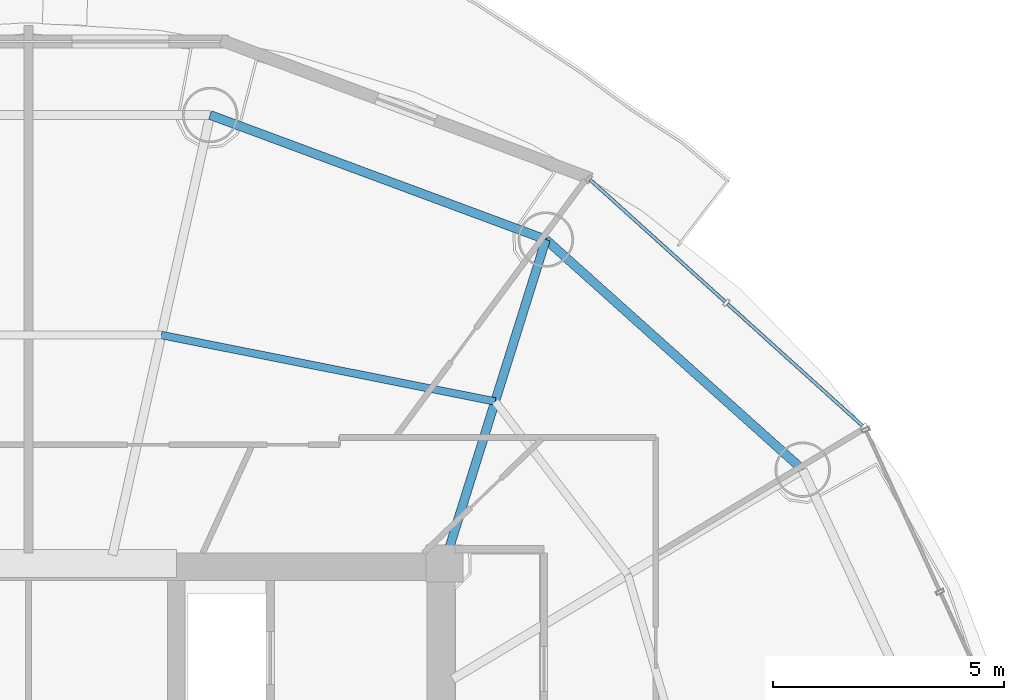
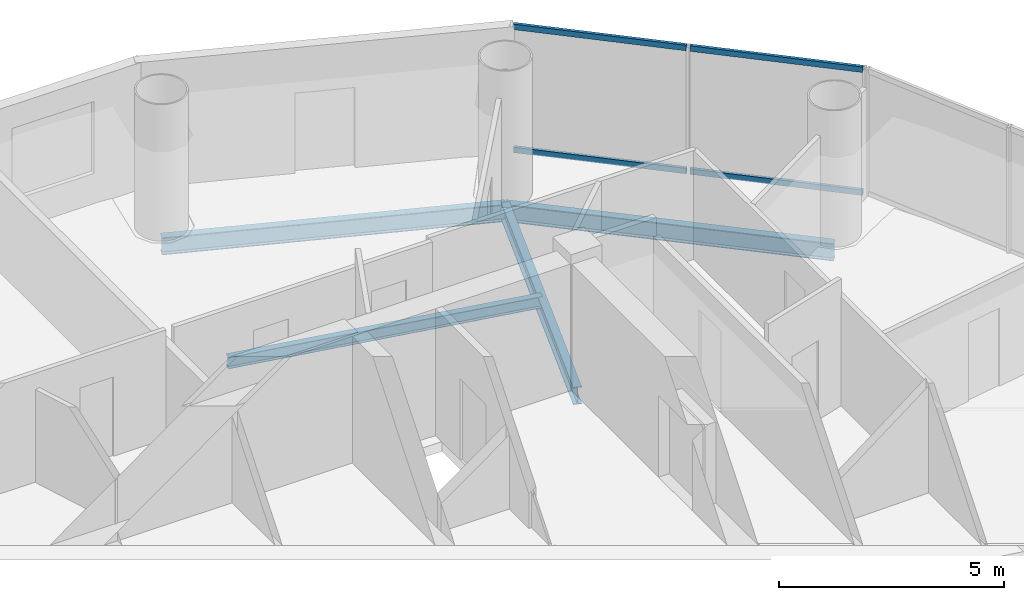
# One storey, part 17 of 26: 4 beams, 4 members, 1 element without a shape of its own.
"""IFC4 building model written with IfcOpenShell, lengths in metres."""

from ifc_helpers import new_model, si_unit, direction, frame, origin, origin_2d, place, context, subcontext, project, spatial, hollow_rectangle, i_section, extrude, source, transform, mapped, material, material_profile, profile_set, type_object, element, aggregate, save


model = new_model("IFC4")

# Units and contexts
model_context = context("Model", 3, precision=1e-05, world=origin(), true_north=direction((-0.2419218956, 0.970295726276)))
body_context = subcontext(model_context, "Body", "Model", "MODEL_VIEW")
ifc_project = project(units=[si_unit("LENGTHUNIT", "METRE"), si_unit("AREAUNIT", "SQUARE_METRE"), si_unit("VOLUMEUNIT", "CUBIC_METRE"), si_unit("PLANEANGLEUNIT", "RADIAN"), si_unit("MASSUNIT", "GRAM", prefix="KILO")], contexts=[model_context])

# Site, building, storey
site_placement = place(None, origin())
site = spatial("IfcSite", under=ifc_project, at=site_placement, CompositionType="ELEMENT")
building_placement = place(site_placement, origin())
building = spatial("IfcBuilding", under=site, at=building_placement, Name="Cobrevalo Terracotta Tower", CompositionType="ELEMENT")
storey_placement = place(building_placement, frame((0.0, 0.0, 206.0)))
storey = spatial("IfcBuildingStorey", under=building, at=storey_placement, Name="L54", CompositionType="ELEMENT", Elevation=206.0)

# Beams
ifc_material_1 = material(Name="Steel S355", Category="steel")
ifc_material_profile_1 = material_profile(ifc_material_1, i_section(OverallWidth=0.194091796875, OverallDepth=0.468994140625, WebThickness=0.011474609375, FlangeThickness=0.0205078125, at=origin_2d()), Name="W 460x106")
ifc_profile_set_1 = profile_set([ifc_material_profile_1], Name="Steel S355")
beam_type_1 = type_object("IfcBeamType", Name="Structural Beam W 460x106 (Steel S355)", PredefinedType="BEAM", material=ifc_profile_set_1)
beam_1_placement = place(storey_placement, frame((49.19482421875, 41.80810546875, -0.49951171875), z_axis=(-0.298871212691, -0.954293454984, 0.0), x_axis=(0.954293454984, -0.298871212691, 0.0)))
element("IfcBeam", 1, at=beam_1_placement, inside=storey, type_object=beam_type_1, Name="L54 radial floor girder 03", PredefinedType="BEAM", context=body_context, shape_type="SweptSolid", body=[
    extrude(i_section(OverallWidth=0.194091796875, OverallDepth=0.468994140625, WebThickness=0.011474609375, FlangeThickness=0.0205078125, at=origin_2d()), origin(), (0.0, 0.0, 1.0), 7.34375),
])
ifc_material_profile_2 = material_profile(ifc_material_1, i_section(OverallWidth=0.1650390625, OverallDepth=0.31005859375, WebThickness=0.005859375, FlangeThickness=0.009765625, at=origin_2d()), Name="W 310x38.7")
ifc_profile_set_2 = profile_set([ifc_material_profile_2], Name="Steel S355")
beam_type_2 = type_object("IfcBeamType", Name="Structural Joist W 310x38.7 (Steel S355)", PredefinedType="JOIST", material=ifc_profile_set_2)
beam_2_placement = place(storey_placement, frame((48.097412109375, 38.303955078125, -0.419921875), z_axis=(-0.980762562197, 0.195204499418, 0.0), x_axis=(-0.195204499418, -0.980762562197, 0.0)))
element("IfcBeam", 2, at=beam_2_placement, inside=storey, type_object=beam_type_2, Name="L54 circumferential secondary floor joist 03", PredefinedType="JOIST", context=body_context, shape_type="SweptSolid", body=[
    extrude(i_section(OverallWidth=0.1650390625, OverallDepth=0.31005859375, WebThickness=0.005859375, FlangeThickness=0.009765625, at=origin_2d()), origin(), (0.0, 0.0, 1.0), 7.365234375),
])
ifc_material_profile_3 = material_profile(ifc_material_1, i_section(OverallWidth=0.194091796875, OverallDepth=0.468994140625, WebThickness=0.011474609375, FlangeThickness=0.0205078125, at=origin_2d()), Name="W 460x106")
ifc_profile_set_3 = profile_set([ifc_material_profile_3], Name="Steel S355")
beam_type_3 = type_object("IfcBeamType", Name="Structural Spandrel W 460x106 (Steel S355)", PredefinedType="SPANDREL", material=ifc_profile_set_3)
beam_3_placement = place(storey_placement, frame((54.754150390625, 36.828125, -0.49951171875), z_axis=(-0.744851930997, 0.667229796165, 0.0), x_axis=(-0.667229796165, -0.744851930997, 0.0)))
element("IfcBeam", 3, at=beam_3_placement, inside=storey, type_object=beam_type_3, Name="L54 perimeter ring spandrel 02", PredefinedType="SPANDREL", context=body_context, shape_type="SweptSolid", body=[
    extrude(i_section(OverallWidth=0.194091796875, OverallDepth=0.468994140625, WebThickness=0.011474609375, FlangeThickness=0.0205078125, at=origin_2d()), origin(), (0.0, 0.0, 1.0), 7.463623046875),
])
beam_4_placement = place(storey_placement, frame((49.19482421875, 41.80810546875, -0.49951171875), z_axis=(-0.937545996665, 0.347861328892, 0.0), x_axis=(-0.347861328892, -0.937545996665, 0.0)))
element("IfcBeam", 4, at=beam_4_placement, inside=storey, type_object=beam_type_3, Name="L54 perimeter ring spandrel 03", PredefinedType="SPANDREL", context=body_context, shape_type="SweptSolid", body=[
    extrude(i_section(OverallWidth=0.194091796875, OverallDepth=0.468994140625, WebThickness=0.011474609375, FlangeThickness=0.0205078125, at=origin_2d()), origin(), (0.0, 0.0, 1.0), 7.74755859375),
])

# Curtain wall, members
ifc_material_2 = material(Name="Anodized aluminium", Category="aluminium")
curtain_wall_type = type_object("IfcCurtainWallType", Name="Mid-tower high-wind unitised curtain wall CW-U2", PredefinedType="NOTDEFINED", material=ifc_material_2)
curtain_wall_placement = place(storey_placement, origin())
curtain_wall = element("IfcCurtainWall", 5, at=curtain_wall_placement, inside=storey, type_object=curtain_wall_type, Name="L54 curtain wall CW-L54-S02", PredefinedType="NOTDEFINED")
ifc_material_profile_4 = material_profile(ifc_material_2, hollow_rectangle(XDim=0.074951171875, YDim=0.14990234375, WallThickness=0.00439453125, at=origin_2d()), Name="CWT 75x150")
ifc_profile_set_4 = profile_set([ifc_material_profile_4], Name="Anodized aluminium")
member_type = type_object("IfcMemberType", Name="Tower unitised aluminium transom 75x150", PredefinedType="USERDEFINED", material=ifc_profile_set_4)
shared_shape_1 = source(origin(), body_context, "Body", "SweptSolid", [
    extrude(hollow_rectangle(XDim=0.074951171875, YDim=0.14990234375, WallThickness=0.00439453125, at=origin_2d()), origin(), (0.0, 0.0, 1.0), 3.927490234375),
])
member_1_placement = place(storey_placement, frame((56.041748046875, 37.78173828125, 0.050048828125), z_axis=(-0.741975952623, 0.670426495396, 0.0), x_axis=(-0.670426495396, -0.741975952623, 0.0)))
member_1 = element("IfcMember", 6, at=member_1_placement, type_object=member_type, Name="CW-L54-S02 transom B01-T1", ObjectType="TRANSOM", PredefinedType="USERDEFINED", context=body_context, shape_type="MappedRepresentation", body=[
    mapped(shared_shape_1, transform((0.0, 0.0, 0.0), scale=1.0)),
])
member_2_placement = place(storey_placement, frame((56.041748046875, 37.78173828125, 3.385009765625), z_axis=(-0.741975952623, 0.670426495396, 0.0), x_axis=(-0.670426495396, -0.741975952623, 0.0)))
member_2 = element("IfcMember", 7, at=member_2_placement, type_object=member_type, Name="CW-L54-S02 transom B01-T2", ObjectType="TRANSOM", PredefinedType="USERDEFINED", context=body_context, shape_type="MappedRepresentation", body=[
    mapped(shared_shape_1, transform((0.0, 0.0, 0.0), scale=1.0)),
])
shared_shape_2 = source(origin(), body_context, "Body", "SweptSolid", [
    extrude(hollow_rectangle(XDim=0.074951171875, YDim=0.14990234375, WallThickness=0.00439453125, at=origin_2d()), origin(), (0.0, 0.0, 1.0), 3.927734375),
])
member_3_placement = place(storey_placement, frame((53.068359375, 40.46826171875, 0.050048828125), z_axis=(-0.742003891138, 0.670395573923, 0.0), x_axis=(-0.670395573923, -0.742003891138, 0.0)))
member_3 = element("IfcMember", 8, at=member_3_placement, type_object=member_type, Name="CW-L54-S02 transom B02-T1", ObjectType="TRANSOM", PredefinedType="USERDEFINED", context=body_context, shape_type="MappedRepresentation", body=[
    mapped(shared_shape_2, transform((0.0, 0.0, 0.0), scale=1.0)),
])
member_4_placement = place(storey_placement, frame((53.068359375, 40.46826171875, 3.385009765625), z_axis=(-0.742003891138, 0.670395573923, 0.0), x_axis=(-0.670395573923, -0.742003891138, 0.0)))
member_4 = element("IfcMember", 9, at=member_4_placement, type_object=member_type, Name="CW-L54-S02 transom B02-T2", ObjectType="TRANSOM", PredefinedType="USERDEFINED", context=body_context, shape_type="MappedRepresentation", body=[
    mapped(shared_shape_2, transform((0.0, 0.0, 0.0), scale=1.0)),
])
aggregate(curtain_wall, [member_1, member_2, member_3, member_4])

save(model, "model.ifc")
